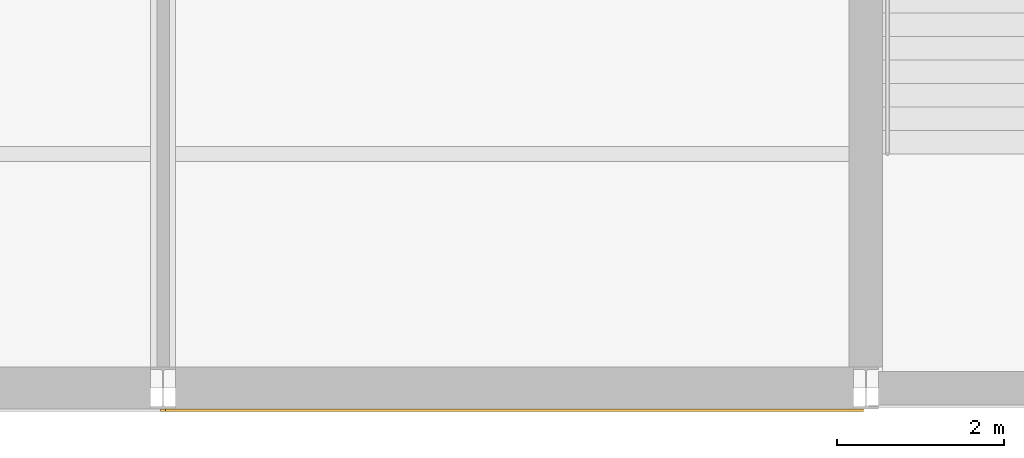
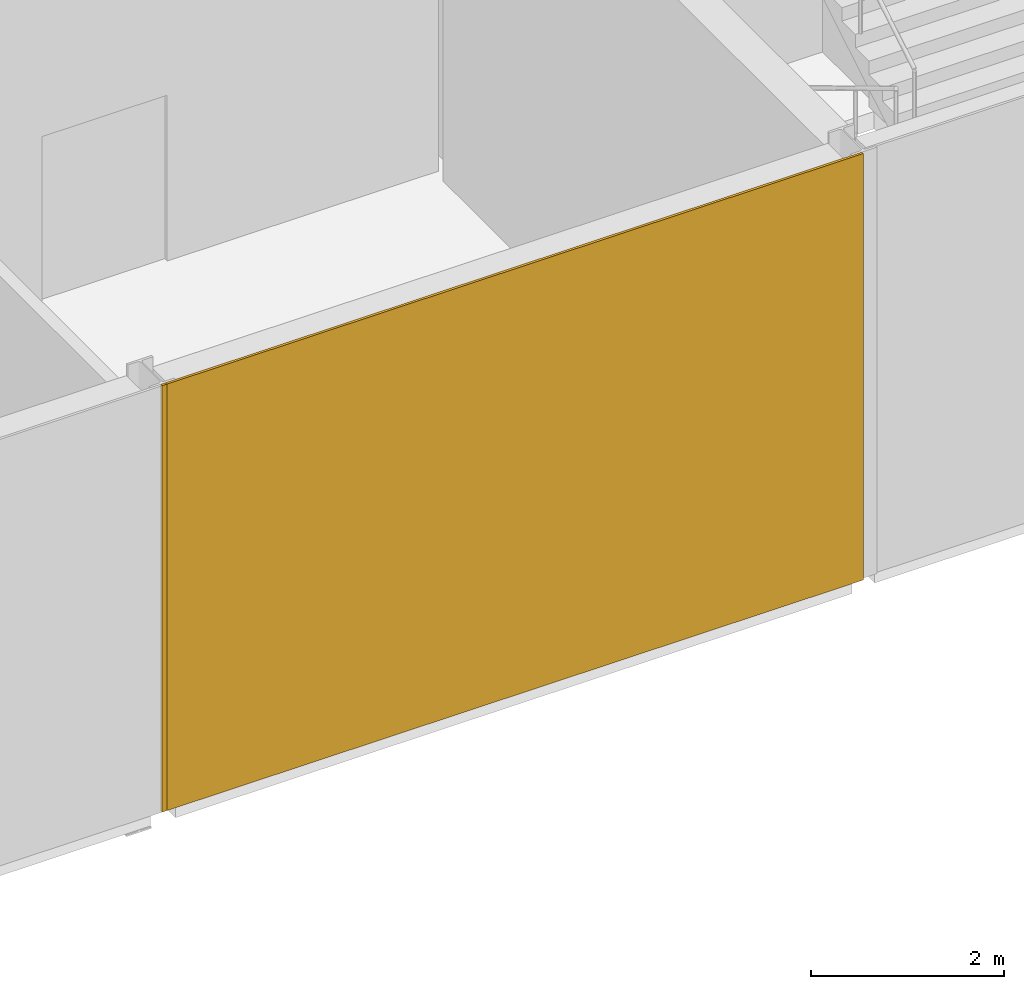
# One storey, part 48 of 64: 2 coverings.
"""IFC4 building model written with IfcOpenShell, lengths in metres."""

from ifc_helpers import new_model, si_unit, direction, frame, origin, origin_2d, place, context, subcontext, project, spatial, rectangle, extrude, material, layer, layer_set, type_object, element, save


model = new_model("IFC4")

# Units and contexts
model_context = context("Model", 3, precision=1e-05, world=origin(), true_north=direction((0.0, 1.0)))
body_context = subcontext(model_context, "Body", "Model", "MODEL_VIEW")
ifc_project = project(units=[si_unit("LENGTHUNIT", "METRE"), si_unit("AREAUNIT", "SQUARE_METRE"), si_unit("VOLUMEUNIT", "CUBIC_METRE"), si_unit("PLANEANGLEUNIT", "RADIAN"), si_unit("MASSUNIT", "GRAM", prefix="KILO")], contexts=[model_context])

# Site, building, storey
site_placement = place(None, origin())
site = spatial("IfcSite", under=ifc_project, at=site_placement, CompositionType="ELEMENT")
building_placement = place(site_placement, origin())
building = spatial("IfcBuilding", under=site, at=building_placement, Name="Galleria Vessillo Department Store", CompositionType="ELEMENT")
storey_placement = place(building_placement, frame((0.0, 0.0, 6.0)))
storey = spatial("IfcBuildingStorey", under=building, at=storey_placement, Name="L01", CompositionType="ELEMENT", Elevation=6.0)

# Coverings
ifc_material = material(Name="Lime plaster (intonaco) ochre")
ifc_layer = layer(ifc_material, 0.030029296875)
ifc_layer_set = layer_set([ifc_layer], Name="Lime plaster (intonaco) ochre")
covering_type = type_object("IfcCoveringType", Name="Lime plaster render 30 mm", PredefinedType="CLADDING", material=ifc_layer_set)
covering_1_placement = place(storey_placement, frame((29.39990234375, -0.264892578125, 0.0), z_axis=(0.0, 0.0, 1.0), x_axis=(1.0, 0.0, 0.0)))
element("IfcCovering", 1, at=covering_1_placement, inside=storey, type_object=covering_type, Name="Wall cladding S-PS-L01-03", PredefinedType="CLADDING", context=body_context, shape_type="SweptSolid", body=[
    extrude(rectangle(XDim=8.34033203125, YDim=0.030029296875, at=origin_2d()), origin(), (0.0, 0.0, 1.0), 5.39990234375),
])
covering_2_placement = place(storey_placement, frame((25.199951171875, -0.264892578125, 0.0), z_axis=(0.0, 0.0, 1.0), x_axis=(1.0, 0.0, 0.0)))
element("IfcCovering", 2, at=covering_2_placement, inside=storey, type_object=covering_type, Name="Joint block Wall cladding S-PS-L01-02", PredefinedType="CLADDING", context=body_context, shape_type="SweptSolid", body=[
    extrude(rectangle(XDim=0.059814453125, YDim=0.030029296875, at=origin_2d()), origin(), (0.0, 0.0, 1.0), 5.39990234375),
])

save(model, "model.ifc")
